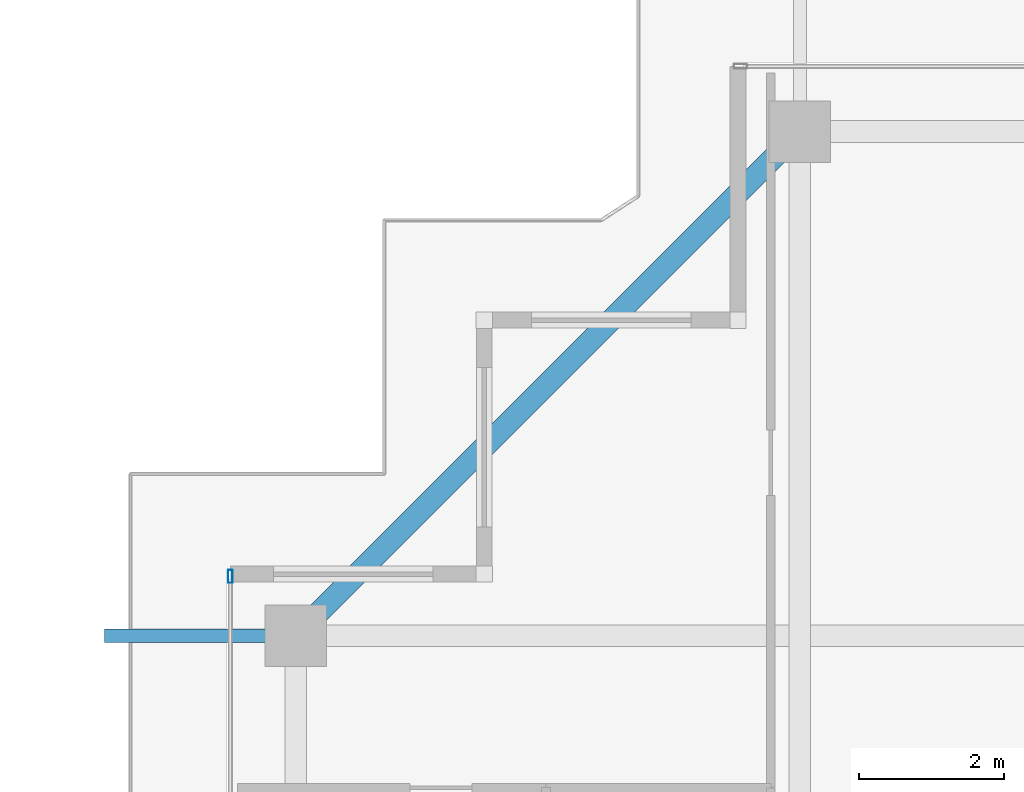
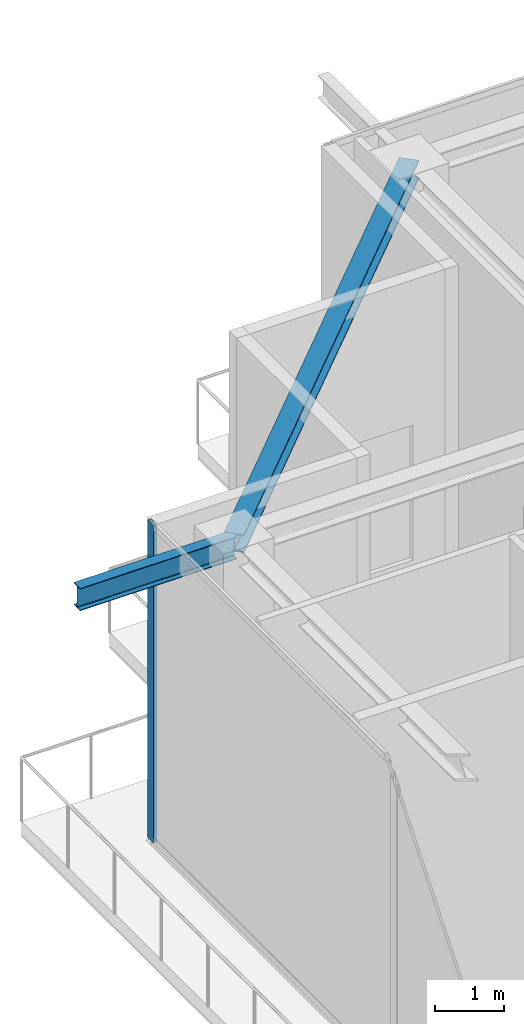
# One storey, part 19 of 40: 2 beams, 1 member, 1 element without a shape of its own.
"""IFC4 building model written with IfcOpenShell, lengths in metres."""

from ifc_helpers import new_model, si_unit, direction, frame, origin, origin_2d, place, context, subcontext, project, spatial, hollow_rectangle, i_section, extrude, source, transform, mapped, material, layer, layer_set, material_profile, profile_set, type_object, element, aggregate, save


model = new_model("IFC4")

# Units and contexts
model_context = context("Model", 3, precision=1e-05, world=origin(), true_north=direction((0.0, 1.0)))
body_context = subcontext(model_context, "Body", "Model", "MODEL_VIEW")
ifc_project = project(units=[si_unit("LENGTHUNIT", "METRE"), si_unit("AREAUNIT", "SQUARE_METRE"), si_unit("VOLUMEUNIT", "CUBIC_METRE"), si_unit("PLANEANGLEUNIT", "RADIAN"), si_unit("MASSUNIT", "GRAM", prefix="KILO")], contexts=[model_context])

# Site, building, storey
site_placement = place(None, origin())
site = spatial("IfcSite", under=ifc_project, at=site_placement, CompositionType="ELEMENT")
building_placement = place(site_placement, origin())
building = spatial("IfcBuilding", under=site, at=building_placement, Name="Serunith Strait Residences", CompositionType="ELEMENT")
storey_placement = place(building_placement, frame((0.0, 0.0, 347.949951171875)))
storey = spatial("IfcBuildingStorey", under=building, at=storey_placement, Name="L86", CompositionType="ELEMENT", Elevation=347.949951171875)

# Beams
ifc_material_1 = material(Name="Steel S355J2", Category="steel")
ifc_material_profile_1 = material_profile(ifc_material_1, i_section(OverallWidth=0.300048828125, OverallDepth=0.320068359375, WebThickness=0.011474609375, FlangeThickness=0.0205078125, FilletRadius=0.027099609375, at=origin_2d()), Name="HEB 320")
ifc_profile_set_1 = profile_set([ifc_material_profile_1], Name="Steel S355J2")
beam_type_1 = type_object("IfcBeamType", Name="BM-HEB320", PredefinedType="BEAM", material=ifc_profile_set_1)
shared_shape_1 = source(origin(), body_context, "Body", "SweptSolid", [
    extrude(i_section(OverallWidth=0.300048828125, OverallDepth=0.320068359375, WebThickness=0.011474609375, FlangeThickness=0.0205078125, FilletRadius=0.027099609375, at=origin_2d()), origin(), (0.0, 0.0, 1.0), 9.82861328125),
])
beam_1_placement = place(storey_placement, frame((18.64990234375, 45.5, 5.447021484375), z_axis=(-0.707106781187, -0.707106781187, 0.0), x_axis=(0.707106781187, -0.707106781187, 0.0)))
element("IfcBeam", 1, at=beam_1_placement, inside=storey, type_object=beam_type_1, Name="L86 Perimeter Ring Beam 12", PredefinedType="BEAM", context=body_context, shape_type="MappedRepresentation", body=[
    mapped(shared_shape_1, transform((0.0, 0.0, 0.0), scale=1.0)),
])
ifc_material_profile_2 = material_profile(ifc_material_1, i_section(OverallWidth=0.179931640625, OverallDepth=0.39990234375, WebThickness=0.008544921875, FlangeThickness=0.013427734375, FilletRadius=0.02099609375, at=origin_2d()), Name="IPE 400")
ifc_profile_set_2 = profile_set([ifc_material_profile_2], Name="Steel S355J2")
beam_type_2 = type_object("IfcBeamType", Name="BM-IPE400", PredefinedType="JOIST", material=ifc_profile_set_2)
shared_shape_2 = source(origin(), body_context, "Body", "SweptSolid", [
    extrude(i_section(OverallWidth=0.179931640625, OverallDepth=0.39990234375, WebThickness=0.008544921875, FlangeThickness=0.013427734375, FilletRadius=0.02099609375, at=origin_2d()), origin(), (0.0, 0.0, 1.0), 2.633544921875),
])
beam_2_placement = place(storey_placement, frame((11.699951171875, 38.550048828125, 5.406982421875), z_axis=(-1.0, 0.0, 0.0), x_axis=(0.0, -1.0, 0.0)))
element("IfcBeam", 2, at=beam_2_placement, inside=storey, type_object=beam_type_2, Name="L87 Cantilevered Balcony Rib TC-W4", PredefinedType="JOIST", context=body_context, shape_type="MappedRepresentation", body=[
    mapped(shared_shape_2, transform((0.0, 0.0, 0.0), scale=1.0)),
])

# Curtain wall, member
ifc_material_2 = material(Name="Brushed Stainless-Silver Aluminium", Category="aluminium")
ifc_layer = layer(ifc_material_2, 0.199951171875, Name="Brushed Stainless-Silver Aluminium")
ifc_layer_set = layer_set([ifc_layer], Name="Brushed Stainless-Silver Aluminium")
curtain_wall_type = type_object("IfcCurtainWallType", Name="CW-SYS5", PredefinedType="NOTDEFINED", material=ifc_layer_set)
curtain_wall_placement = place(storey_placement, origin())
curtain_wall = element("IfcCurtainWall", 3, at=curtain_wall_placement, inside=storey, type_object=curtain_wall_type, Name="L86 W Unitised Fritted Curtain Wall", PredefinedType="NOTDEFINED")
ifc_material_profile_3 = material_profile(ifc_material_2, hollow_rectangle(XDim=0.06494140625, YDim=0.179931640625, WallThickness=0.00341796875, InnerFilletRadius=0.00537109375, OuterFilletRadius=0.0087890625, at=origin_2d()), Name="ALU 180x65x3.5")
ifc_profile_set_3 = profile_set([ifc_material_profile_3], Name="Brushed Stainless-Silver Aluminium")
member_type = type_object("IfcMemberType", Name="CW-SYS5-MULL", PredefinedType="MULLION", material=ifc_profile_set_3)
shared_shape_3 = source(origin(), body_context, "Body", "SweptSolid", [
    extrude(hollow_rectangle(XDim=0.06494140625, YDim=0.179931640625, WallThickness=0.00341796875, InnerFilletRadius=0.00537109375, OuterFilletRadius=0.0087890625, at=origin_2d()), origin(), (0.0, 0.0, 1.0), 5.625),
])
member_placement = place(storey_placement, frame((10.800048828125, 39.367431640625, 0.0), z_axis=(0.0, 0.0, 1.0), x_axis=(1.0, 0.0, 0.0)))
member = element("IfcMember", 4, at=member_placement, type_object=member_type, Name="CW-5 mullion 1", PredefinedType="MULLION", context=body_context, shape_type="MappedRepresentation", body=[
    mapped(shared_shape_3, transform((0.0, 0.0, 0.0), scale=1.0)),
])
aggregate(curtain_wall, [member])

save(model, "model.ifc")
